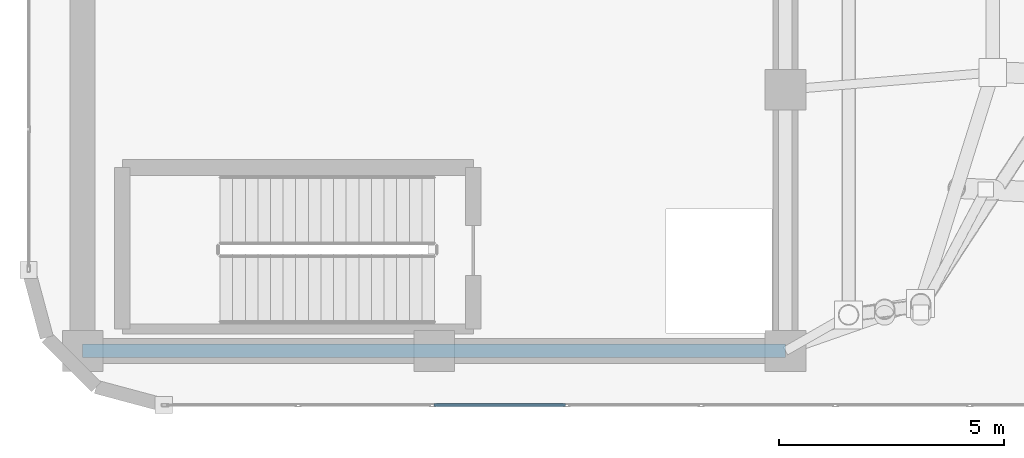
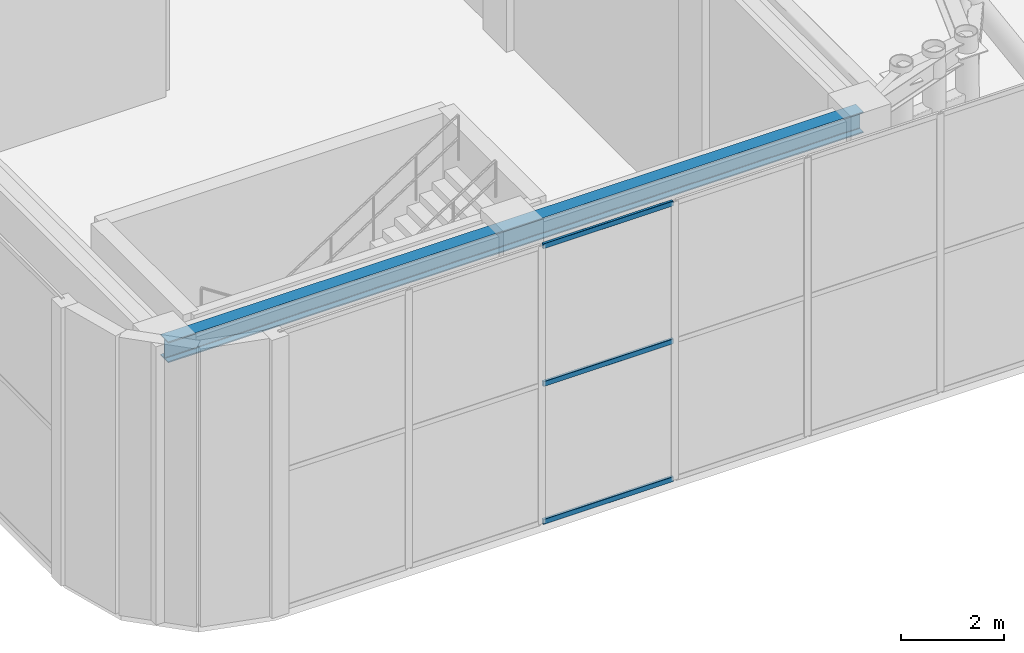
# One storey, part 3 of 19: 3 members, 1 beam, 1 element without a shape of its own.
"""IFC4 building model written with IfcOpenShell, lengths in metres."""

from ifc_helpers import new_model, si_unit, direction, frame, origin, origin_2d, place, context, subcontext, project, spatial, hollow_rectangle, i_section, extrude, material, layer, layer_set, material_profile, profile_set, type_object, element, aggregate, save


model = new_model("IFC4")

# Units and contexts
model_context = context("Model", 3, precision=1e-05, world=origin(), true_north=direction((0.0, 1.0)))
body_context = subcontext(model_context, "Body", "Model", "MODEL_VIEW")
ifc_project = project(units=[si_unit("LENGTHUNIT", "METRE"), si_unit("AREAUNIT", "SQUARE_METRE"), si_unit("VOLUMEUNIT", "CUBIC_METRE"), si_unit("PLANEANGLEUNIT", "RADIAN"), si_unit("MASSUNIT", "GRAM", prefix="KILO")], contexts=[model_context])

# Site, building, storey
site_placement = place(None, origin())
site = spatial("IfcSite", under=ifc_project, at=site_placement, CompositionType="ELEMENT")
building_placement = place(site_placement, origin())
building = spatial("IfcBuilding", under=site, at=building_placement, Name="An Khanh Terracotta Commons", CompositionType="ELEMENT")
storey_placement = place(building_placement, frame((0.0, 0.0, 328.800048828125)))
storey = spatial("IfcBuildingStorey", under=building, at=storey_placement, Name="L82 Crown Faceted Taper", CompositionType="ELEMENT", Elevation=328.800048828125)

# Beam
ifc_material_1 = material(Name="Steel S355J2", Category="steel")
ifc_material_profile_1 = material_profile(ifc_material_1, i_section(OverallWidth=0.300048828125, OverallDepth=0.5, WebThickness=0.014404296875, FlangeThickness=0.028076171875, FilletRadius=0.027099609375, at=origin_2d()), Name="HEB500")
ifc_profile_set_1 = profile_set([ifc_material_profile_1], Name="Steel S355J2")
beam_type = type_object("IfcBeamType", Name="BM-HEB500", PredefinedType="BEAM", material=ifc_profile_set_1)
beam_placement = place(storey_placement, frame((21.60009765625, 14.39990234375, 6.1298828125), z_axis=(1.0, 0.0, 0.0), x_axis=(0.0, 1.0, 0.0)))
element("IfcBeam", 1, at=beam_placement, inside=storey, type_object=beam_type, Name="L82 Crown Faceted Taper Core South Coupling Girder", PredefinedType="BEAM", context=body_context, shape_type="SweptSolid", body=[
    extrude(i_section(OverallWidth=0.300048828125, OverallDepth=0.5, WebThickness=0.014404296875, FlangeThickness=0.028076171875, FilletRadius=0.027099609375, at=origin_2d()), origin(), (0.0, 0.0, 1.0), 15.599853515625),
])

# Curtain wall, members
ifc_material_2 = material(Name="Anodised Aluminium 6063-T6", Category="aluminium")
ifc_layer = layer(ifc_material_2, 0.18994140625, Name="Anodised Aluminium 6063-T6")
ifc_layer_set = layer_set([ifc_layer], Name="Anodised Aluminium 6063-T6")
curtain_wall_type = type_object("IfcCurtainWallType", Name="CW-SYS-06", PredefinedType="USERDEFINED", material=ifc_layer_set)
curtain_wall_placement = place(storey_placement, origin())
curtain_wall = element("IfcCurtainWall", 2, at=curtain_wall_placement, inside=storey, type_object=curtain_wall_type, Name="L82 Crown Faceted Taper CW-06 Unitised Curtain Wall CW-L82-04", ObjectType="UNITISED CURTAIN WALL", PredefinedType="USERDEFINED")
ifc_material_profile_2 = material_profile(ifc_material_2, hollow_rectangle(XDim=0.06005859375, YDim=0.1201171875, WallThickness=0.003662109375, InnerFilletRadius=0.003662109375, OuterFilletRadius=0.007080078125, at=origin_2d()), Name="RHS120x60x3.6")
ifc_profile_set_2 = profile_set([ifc_material_profile_2], Name="Anodised Aluminium 6063-T6")
member_type = type_object("IfcMemberType", Name="CWT-RHS120x60x3.6", PredefinedType="USERDEFINED", material=ifc_profile_set_2)
member_1_placement = place(storey_placement, frame((29.395751953125, 13.199951171875, 0.030029296875), z_axis=(1.0, 0.0, 0.0), x_axis=(0.0, 1.0, 0.0)))
member_1 = element("IfcMember", 3, at=member_1_placement, type_object=member_type, Name="CW-06 transom 3.1", ObjectType="TRANSOM", PredefinedType="USERDEFINED", context=body_context, shape_type="SweptSolid", body=[
    extrude(hollow_rectangle(XDim=0.06005859375, YDim=0.1201171875, WallThickness=0.003662109375, InnerFilletRadius=0.003662109375, OuterFilletRadius=0.007080078125, at=origin_2d()), origin(), (0.0, 0.0, 1.0), 2.91650390625),
])
member_2_placement = place(storey_placement, frame((29.395751953125, 13.199951171875, 3.300048828125), z_axis=(1.0, 0.0, 0.0), x_axis=(0.0, 1.0, 0.0)))
member_2 = element("IfcMember", 4, at=member_2_placement, type_object=member_type, Name="CW-06 transom 3.2", ObjectType="TRANSOM", PredefinedType="USERDEFINED", context=body_context, shape_type="SweptSolid", body=[
    extrude(hollow_rectangle(XDim=0.06005859375, YDim=0.1201171875, WallThickness=0.003662109375, InnerFilletRadius=0.003662109375, OuterFilletRadius=0.007080078125, at=origin_2d()), origin(), (0.0, 0.0, 1.0), 2.91650390625),
])
member_3_placement = place(storey_placement, frame((29.395751953125, 13.199951171875, 6.570068359375), z_axis=(1.0, 0.0, 0.0), x_axis=(0.0, 1.0, 0.0)))
member_3 = element("IfcMember", 5, at=member_3_placement, type_object=member_type, Name="CW-06 transom 3.3", ObjectType="TRANSOM", PredefinedType="USERDEFINED", context=body_context, shape_type="SweptSolid", body=[
    extrude(hollow_rectangle(XDim=0.06005859375, YDim=0.1201171875, WallThickness=0.003662109375, InnerFilletRadius=0.003662109375, OuterFilletRadius=0.007080078125, at=origin_2d()), origin(), (0.0, 0.0, 1.0), 2.91650390625),
])
aggregate(curtain_wall, [member_1, member_2, member_3])

save(model, "model.ifc")
